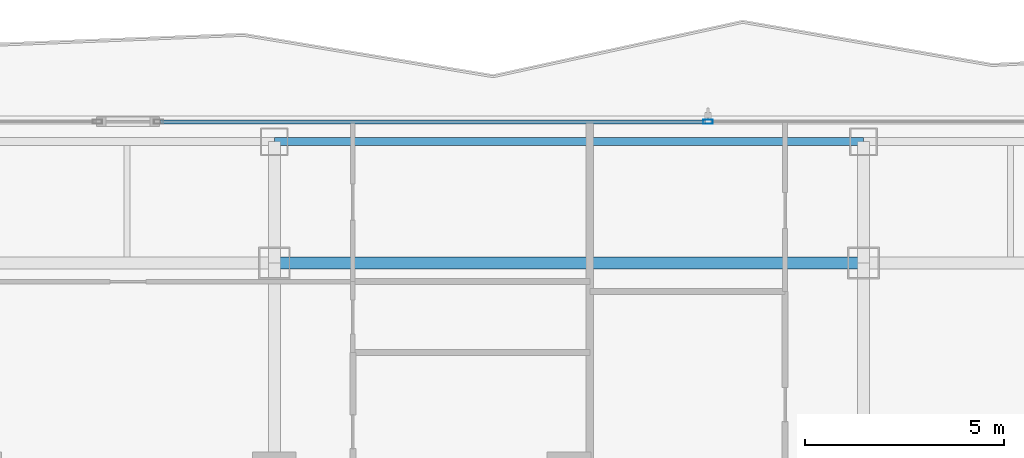
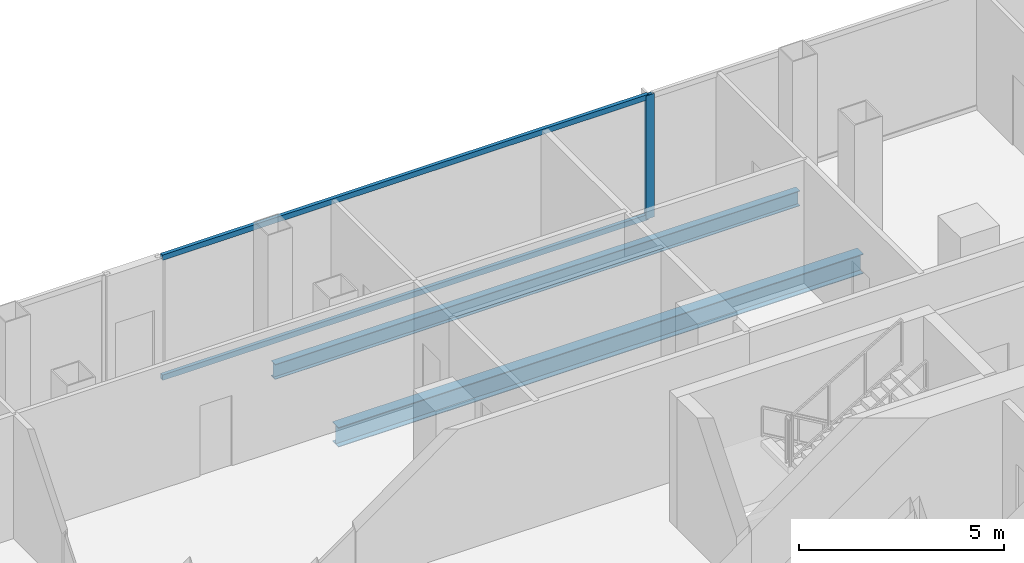
# One storey, part 19 of 34: 3 members, 2 beams, 1 element without a shape of its own.
"""IFC4 building model written with IfcOpenShell, lengths in metres."""

from ifc_helpers import new_model, si_unit, direction, frame, origin, origin_2d, place, context, subcontext, project, spatial, hollow_rectangle, i_section, extrude, material, layer, layer_set, material_profile, profile_set, type_object, element, aggregate, save


model = new_model("IFC4")

# Units and contexts
model_context = context("Model", 3, precision=1e-05, world=origin(), true_north=direction((0.0, 1.0)))
body_context = subcontext(model_context, "Body", "Model", "MODEL_VIEW")
ifc_project = project(units=[si_unit("LENGTHUNIT", "METRE"), si_unit("AREAUNIT", "SQUARE_METRE"), si_unit("VOLUMEUNIT", "CUBIC_METRE"), si_unit("PLANEANGLEUNIT", "RADIAN"), si_unit("MASSUNIT", "GRAM", prefix="KILO")], contexts=[model_context])

# Site, building, storey
site_placement = place(None, origin())
site = spatial("IfcSite", under=ifc_project, at=site_placement, CompositionType="ELEMENT")
building_placement = place(site_placement, origin())
building = spatial("IfcBuilding", under=site, at=building_placement, Name="Khorvyn Point Tower", CompositionType="ELEMENT")
storey_placement = place(building_placement, frame((0.0, 0.0, 175.800048828125)))
storey = spatial("IfcBuildingStorey", under=building, at=storey_placement, Name="L43", CompositionType="ELEMENT", Elevation=175.800048828125)

# Curtain wall, members
ifc_material_1 = material(Name="Anodised aluminium 6063-T6 and laminated Low-E glass", Category="aluminium")
ifc_layer = layer(ifc_material_1, 0.18994140625)
ifc_layer_set = layer_set([ifc_layer], Name="Stick-Built Acoustic Curtain Wall CW-SYS-03")
curtain_wall_type = type_object("IfcCurtainWallType", Name="Stick-Built Acoustic Curtain Wall CW-SYS-03", PredefinedType="NOTDEFINED", material=ifc_layer_set)
curtain_wall_placement = place(storey_placement, origin())
curtain_wall = element("IfcCurtainWall", 1, at=curtain_wall_placement, inside=storey, type_object=curtain_wall_type, Name="Curtain Wall", PredefinedType="NOTDEFINED")
ifc_material_2 = material(Name="Anodised aluminium 6063-T6", Category="aluminium")
ifc_material_profile_1 = material_profile(ifc_material_2, hollow_rectangle(XDim=0.10009765625, YDim=0.239990234375, WallThickness=0.0048828125, at=origin_2d()))
ifc_profile_set_1 = profile_set([ifc_material_profile_1], Name="Anodised aluminium 6063-T6 ALU-MUL-100x240")
member_type_1 = type_object("IfcMemberType", Name="Anodised Aluminium 6063-T6 Mullion ALU-MUL-100x240", PredefinedType="MULLION", material=ifc_profile_set_1)
member_1_placement = place(storey_placement, frame((3.49658203125, 23.64990234375, 0.0), z_axis=(0.0, 0.0, 1.0), x_axis=(0.0, 1.0, 0.0)))
member_1 = element("IfcMember", 2, at=member_1_placement, type_object=member_type_1, Name="Transom", PredefinedType="MULLION", context=body_context, shape_type="SweptSolid", body=[
    extrude(hollow_rectangle(XDim=0.10009765625, YDim=0.239990234375, WallThickness=0.0048828125, at=origin_2d()), origin(), (0.0, 0.0, 1.0), 3.679931640625),
])
ifc_material_profile_2 = material_profile(ifc_material_2, hollow_rectangle(XDim=0.10009765625, YDim=0.159912109375, WallThickness=0.00439453125, at=origin_2d()))
ifc_profile_set_2 = profile_set([ifc_material_profile_2], Name="Anodised aluminium 6063-T6 ALU-TRN-100x160")
member_type_2 = type_object("IfcMemberType", Name="Anodised Aluminium 6063-T6 Transom ALU-TRN-100x160", PredefinedType="USERDEFINED", material=ifc_profile_set_2)
member_2_placement = place(storey_placement, frame((-10.257080078125, 23.64990234375, 0.050048828125), z_axis=(1.0, 0.0, 0.0), x_axis=(0.0, 1.0, 0.0)))
member_2 = element("IfcMember", 3, at=member_2_placement, type_object=member_type_2, Name="Transom", ObjectType="TRANSOM", PredefinedType="USERDEFINED", context=body_context, shape_type="SweptSolid", body=[
    extrude(hollow_rectangle(XDim=0.10009765625, YDim=0.159912109375, WallThickness=0.00439453125, at=origin_2d()), origin(), (0.0, 0.0, 1.0), 13.70361328125),
])
member_3_placement = place(storey_placement, frame((-10.257080078125, 23.64990234375, 3.6298828125), z_axis=(1.0, 0.0, 0.0), x_axis=(0.0, 1.0, 0.0)))
member_3 = element("IfcMember", 4, at=member_3_placement, type_object=member_type_2, Name="Transom", ObjectType="TRANSOM", PredefinedType="USERDEFINED", context=body_context, shape_type="SweptSolid", body=[
    extrude(hollow_rectangle(XDim=0.10009765625, YDim=0.159912109375, WallThickness=0.00439453125, at=origin_2d()), origin(), (0.0, 0.0, 1.0), 13.70361328125),
])
aggregate(curtain_wall, [member_1, member_2, member_3])

# Beams
ifc_material_3 = material(Name="Steel S355", Category="steel")
ifc_material_profile_3 = material_profile(ifc_material_3, i_section(OverallWidth=0.300048828125, OverallDepth=0.587890625, WebThickness=0.011962890625, FlangeThickness=0.02001953125, at=origin_2d()))
ifc_profile_set_3 = profile_set([ifc_material_profile_3], Name="Steel S355 H588x300x12x20")
beam_type_1 = type_object("IfcBeamType", Name="Steel S355 Beam H588x300x12x20", PredefinedType="BEAM", material=ifc_profile_set_3)
beam_1_placement = place(storey_placement, frame((-7.39990234375, 20.10009765625, -0.51416015625), z_axis=(1.0, 0.0, 0.0), x_axis=(0.0, 1.0, 0.0)))
element("IfcBeam", 5, at=beam_1_placement, inside=storey, type_object=beam_type_1, Name="Beam", PredefinedType="BEAM", context=body_context, shape_type="SweptSolid", body=[
    extrude(i_section(OverallWidth=0.300048828125, OverallDepth=0.587890625, WebThickness=0.011962890625, FlangeThickness=0.02001953125, at=origin_2d()), origin(), (0.0, 0.0, 1.0), 14.7998046875),
])
ifc_material_profile_4 = material_profile(ifc_material_3, i_section(OverallWidth=0.199951171875, OverallDepth=0.449951171875, WebThickness=0.009033203125, FlangeThickness=0.013916015625, at=origin_2d()))
ifc_profile_set_4 = profile_set([ifc_material_profile_4], Name="Steel S355 H450x200x9x14")
beam_type_2 = type_object("IfcBeamType", Name="Steel S355 Spandrel H450x200x9x14", PredefinedType="SPANDREL", material=ifc_profile_set_4)
beam_2_placement = place(storey_placement, frame((-7.39990234375, 23.14990234375, -0.445068359375), z_axis=(1.0, 0.0, 0.0), x_axis=(0.0, 1.0, 0.0)))
element("IfcBeam", 6, at=beam_2_placement, inside=storey, type_object=beam_type_2, Name="Beam", PredefinedType="SPANDREL", context=body_context, shape_type="SweptSolid", body=[
    extrude(i_section(OverallWidth=0.199951171875, OverallDepth=0.449951171875, WebThickness=0.009033203125, FlangeThickness=0.013916015625, at=origin_2d()), origin(), (0.0, 0.0, 1.0), 14.7998046875),
])

save(model, "model.ifc")
